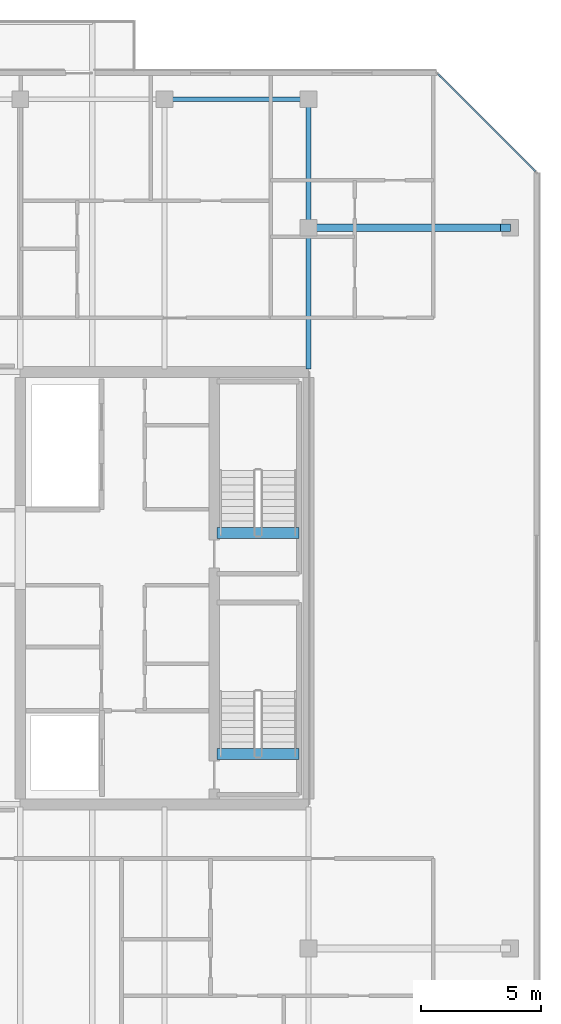
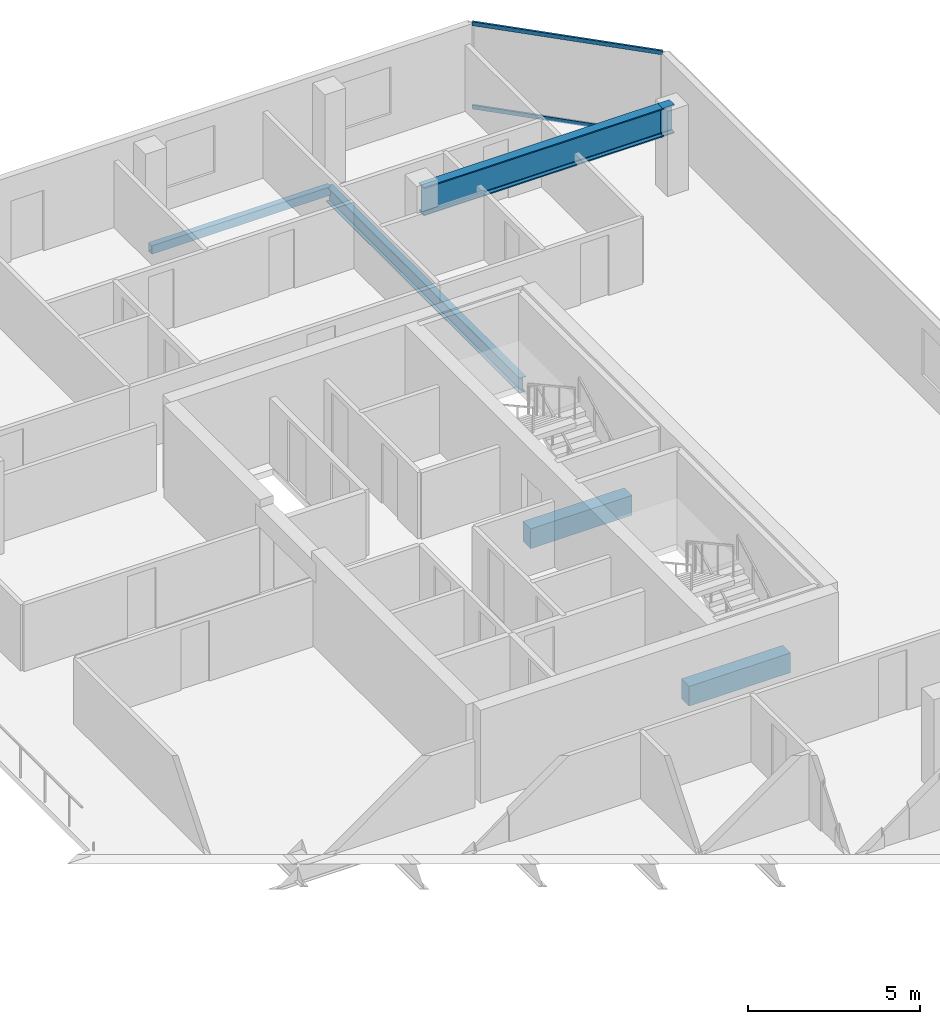
# One storey, part 11 of 24: 6 beams, 2 members, 1 element without a shape of its own.
"""IFC4 building model written with IfcOpenShell, lengths in metres."""

from ifc_helpers import new_model, si_unit, direction, frame, origin, origin_2d, place, context, subcontext, project, spatial, rectangle, hollow_rectangle, i_section, extrude, material, layer, layer_set, material_profile, profile_set, type_object, element, aggregate, save


model = new_model("IFC4")

# Units and contexts
model_context = context("Model", 3, precision=1e-05, world=origin(), true_north=direction((0.0, 1.0)))
body_context = subcontext(model_context, "Body", "Model", "MODEL_VIEW")
ifc_project = project(units=[si_unit("LENGTHUNIT", "METRE"), si_unit("AREAUNIT", "SQUARE_METRE"), si_unit("VOLUMEUNIT", "CUBIC_METRE"), si_unit("PLANEANGLEUNIT", "RADIAN"), si_unit("MASSUNIT", "GRAM", prefix="KILO")], contexts=[model_context])

# Site, building, storey
site_placement = place(None, origin())
site = spatial("IfcSite", under=ifc_project, at=site_placement, CompositionType="ELEMENT")
building_placement = place(site_placement, origin())
building = spatial("IfcBuilding", under=site, at=building_placement, Name="Tanjung Sevakor Pilgrim Tower", CompositionType="ELEMENT")
storey_placement = place(building_placement, frame((0.0, 0.0, 226.050048828125)))
storey = spatial("IfcBuildingStorey", under=building, at=storey_placement, Name="L63", CompositionType="ELEMENT", Elevation=226.050048828125)

# Beams
ifc_material_1 = material(Name="Steel S355J2", Category="steel")
ifc_material_profile_1 = material_profile(ifc_material_1, i_section(OverallWidth=0.2119140625, OverallDepth=0.54443359375, WebThickness=0.0126953125, FlangeThickness=0.021240234375, FilletRadius=0.0126953125, at=origin_2d()))
ifc_profile_set_1 = profile_set([ifc_material_profile_1], Name="Steel S355J2")
beam_type_1 = type_object("IfcBeamType", Name="BM-B-G5-UB_533x210x122", PredefinedType="BEAM", material=ifc_profile_set_1)
beam_1_placement = place(storey_placement, frame((90.0, 42.714599609375, -0.492431640625), z_axis=(0.0, 1.0, 0.0), x_axis=(-1.0, 0.0, 0.0)))
element("IfcBeam", 1, at=beam_1_placement, inside=storey, type_object=beam_type_1, Name="L63 MAIN Girder 020", PredefinedType="BEAM", context=body_context, shape_type="SweptSolid", body=[
    extrude(i_section(OverallWidth=0.2119140625, OverallDepth=0.54443359375, WebThickness=0.0126953125, FlangeThickness=0.021240234375, FilletRadius=0.0126953125, at=origin_2d()), origin(), (0.0, 0.0, 1.0), 11.2353515625),
])
ifc_material_2 = material(Name="Steel S460M", Category="steel")
ifc_material_profile_2 = material_profile(ifc_material_2, i_section(OverallWidth=0.302001953125, OverallDepth=1.008056640625, WebThickness=0.02099609375, FlangeThickness=0.0400390625, FilletRadius=0.030029296875, at=origin_2d()))
ifc_profile_set_2 = profile_set([ifc_material_profile_2], Name="Steel S460M")
beam_type_2 = type_object("IfcBeamType", Name="BM-B-G7-HE_1000M", PredefinedType="BEAM", material=ifc_profile_set_2)
beam_2_placement = place(storey_placement, frame((90.0, 48.60009765625, 2.515869140625), z_axis=(1.0, 0.0, 0.0), x_axis=(0.0, 1.0, 0.0)))
element("IfcBeam", 2, at=beam_2_placement, inside=storey, type_object=beam_type_2, Name="L63 Crown East Setback Transfer Girder Y48.6-1", PredefinedType="BEAM", context=body_context, shape_type="SweptSolid", body=[
    extrude(i_section(OverallWidth=0.302001953125, OverallDepth=1.008056640625, WebThickness=0.02099609375, FlangeThickness=0.0400390625, FilletRadius=0.030029296875, at=origin_2d()), origin(), (0.0, 0.0, 1.0), 8.0),
])
beam_3_placement = place(storey_placement, frame((98.0, 48.60009765625, 2.515869140625), z_axis=(1.0, 0.0, 0.0), x_axis=(0.0, 1.0, 0.0)))
element("IfcBeam", 3, at=beam_3_placement, inside=storey, type_object=beam_type_2, Name="L63 Crown East Setback Transfer Girder Y48.6-2", PredefinedType="BEAM", context=body_context, shape_type="SweptSolid", body=[
    extrude(i_section(OverallWidth=0.302001953125, OverallDepth=1.008056640625, WebThickness=0.02099609375, FlangeThickness=0.0400390625, FilletRadius=0.030029296875, at=origin_2d()), origin(), (0.0, 0.0, 1.0), 0.39990234375),
])
ifc_material_3 = material(Name="Concrete C60/75", Category="concrete")
ifc_material_profile_3 = material_profile(ifc_material_3, rectangle(XDim=0.449951171875, YDim=0.699951171875, at=origin_2d()))
ifc_profile_set_3 = profile_set([ifc_material_profile_3], Name="Concrete C60/75")
beam_type_3 = type_object("IfcBeamType", Name="BM-B-LN3-RC-BM_450x700", PredefinedType="LINTEL", material=ifc_profile_set_3)
for number, where, z_axis, x_axis, name in (
    (4, (86.199951171875, 26.699951171875, -0.35009765625), (1.0, 0.0, 0.0), (0.0, 1.0, 0.0), "L63 TS-E1 Stair Threshold Beam"),
    (5, (86.199951171875, 35.89990234375, -0.35009765625), (1.0, 0.0, 0.0), (0.0, 1.0, 0.0), "L63 TS-E2 Stair Threshold Beam"),
):
    element("IfcBeam", number, at=place(storey_placement, frame(where, z_axis=z_axis, x_axis=x_axis)), inside=storey, type_object=beam_type_3, Name=name, PredefinedType="LINTEL", context=body_context, shape_type="SweptSolid", body=[
        extrude(rectangle(XDim=0.449951171875, YDim=0.699951171875, at=origin_2d()), origin(), (0.0, 0.0, 1.0), 3.400146484375),
    ])
ifc_material_4 = material(Name="Steel S355J2", Category="steel")
ifc_material_profile_4 = material_profile(ifc_material_4, hollow_rectangle(XDim=0.199951171875, YDim=0.300048828125, WallThickness=0.012451171875, at=origin_2d()))
ifc_profile_set_4 = profile_set([ifc_material_profile_4], Name="Steel S355J2")
beam_type_4 = type_object("IfcBeamType", Name="BM-B-SP3-RHS_300x200x12.5", PredefinedType="SPANDREL", material=ifc_profile_set_4)
beam_4_placement = place(storey_placement, frame((84.0, 53.949951171875, -0.3701171875), z_axis=(1.0, 0.0, 0.0), x_axis=(0.0, 1.0, 0.0)))
element("IfcBeam", 6, at=beam_4_placement, inside=storey, type_object=beam_type_4, Name="L63 Spandrel MAIN N-16", PredefinedType="SPANDREL", context=body_context, shape_type="SweptSolid", body=[
    extrude(hollow_rectangle(XDim=0.199951171875, YDim=0.300048828125, WallThickness=0.012451171875, at=origin_2d()), origin(), (0.0, 0.0, 1.0), 6.0),
])

# Curtain wall, members
ifc_material_5 = material(Name="Aluminium 6063-T6 and Low-E Glass", Category="aluminium")
ifc_layer = layer(ifc_material_5, 0.179931640625)
ifc_layer_set = layer_set([ifc_layer], Name="CW-SYS-CHAM")
curtain_wall_type = type_object("IfcCurtainWallType", Name="CW-SYS-CHAM", PredefinedType="NOTDEFINED", material=ifc_layer_set)
curtain_wall_placement = place(storey_placement, origin())
curtain_wall = element("IfcCurtainWall", 7, at=curtain_wall_placement, inside=storey, type_object=curtain_wall_type, Name="L63 Curtain Wall CW-CHM-L63-MAIN-7", PredefinedType="NOTDEFINED")
ifc_material_6 = material(Name="Aluminium 6063-T6", Category="aluminium")
ifc_material_profile_5 = material_profile(ifc_material_6, hollow_rectangle(XDim=0.06494140625, YDim=0.139892578125, WallThickness=0.00390625, at=origin_2d()))
ifc_profile_set_5 = profile_set([ifc_material_profile_5], Name="Aluminium 6063-T6")
member_type = type_object("IfcMemberType", Name="TYPE-CWT-1", PredefinedType="USERDEFINED", material=ifc_profile_set_5)
member_1_placement = place(storey_placement, frame((99.444091796875, 50.950439453125, 0.032470703125), z_axis=(-0.707106781187, 0.707106781187, 0.0), x_axis=(-0.707106781187, -0.707106781187, 0.0)))
member_1 = element("IfcMember", 8, at=member_1_placement, type_object=member_type, Name="CW-CHM transom 1.1", ObjectType="TRANSOM", PredefinedType="USERDEFINED", context=body_context, shape_type="SweptSolid", body=[
    extrude(hollow_rectangle(XDim=0.06494140625, YDim=0.139892578125, WallThickness=0.00390625, at=origin_2d()), origin(), (0.0, 0.0, 1.0), 5.71875),
])
member_2_placement = place(storey_placement, frame((99.444091796875, 50.950439453125, 2.987548828125), z_axis=(-0.707106781187, 0.707106781187, 0.0), x_axis=(-0.707106781187, -0.707106781187, 0.0)))
member_2 = element("IfcMember", 9, at=member_2_placement, type_object=member_type, Name="CW-CHM transom 1.2", ObjectType="TRANSOM", PredefinedType="USERDEFINED", context=body_context, shape_type="SweptSolid", body=[
    extrude(hollow_rectangle(XDim=0.06494140625, YDim=0.139892578125, WallThickness=0.00390625, at=origin_2d()), origin(), (0.0, 0.0, 1.0), 5.71875),
])
aggregate(curtain_wall, [member_1, member_2])

save(model, "model.ifc")
